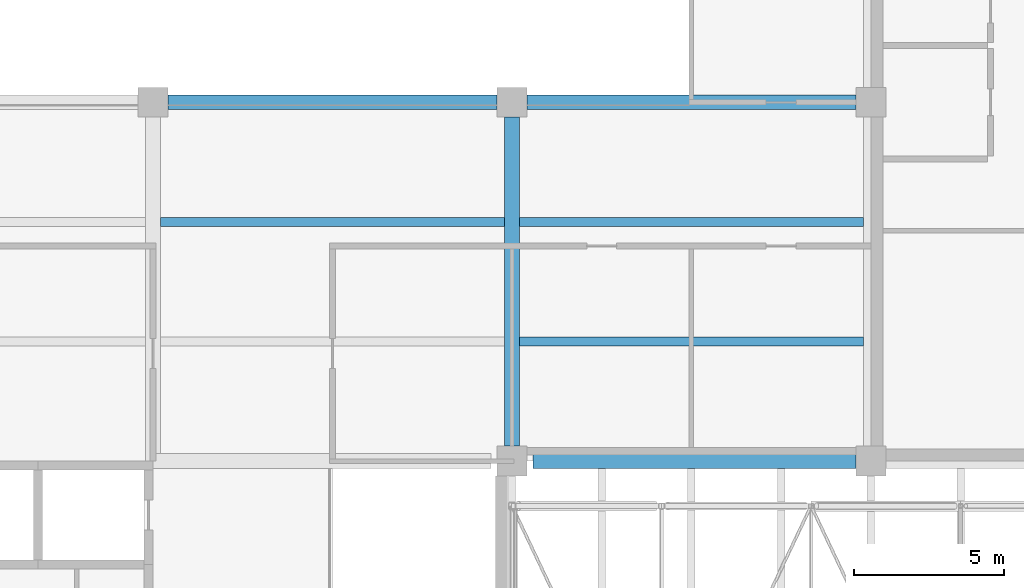
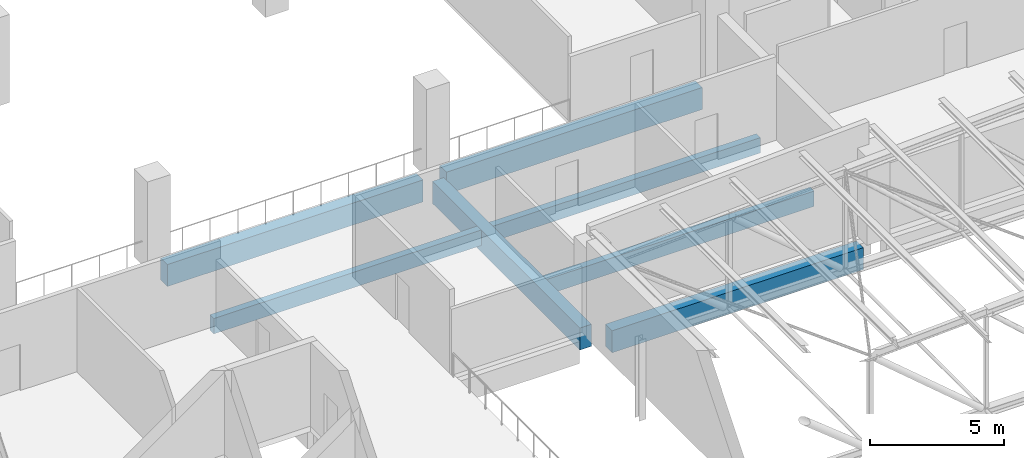
# One storey, part 129 of 156: 7 beams.
"""IFC4 building model written with IfcOpenShell, lengths in metres."""

from ifc_helpers import new_model, si_unit, direction, frame, origin, origin_2d, place, context, subcontext, project, spatial, rectangle, extrude, material, material_profile, profile_set, type_object, element, save


model = new_model("IFC4")

# Units and contexts
model_context = context("Model", 3, precision=1e-05, world=origin(), true_north=direction((0.0, 1.0)))
body_context = subcontext(model_context, "Body", "Model", "MODEL_VIEW")
ifc_project = project(units=[si_unit("LENGTHUNIT", "METRE"), si_unit("AREAUNIT", "SQUARE_METRE"), si_unit("VOLUMEUNIT", "CUBIC_METRE"), si_unit("PLANEANGLEUNIT", "RADIAN"), si_unit("MASSUNIT", "GRAM", prefix="KILO")], contexts=[model_context])

# Site, building, storey
site_placement = place(None, origin())
site = spatial("IfcSite", under=ifc_project, at=site_placement, CompositionType="ELEMENT")
building_placement = place(site_placement, origin())
building = spatial("IfcBuilding", under=site, at=building_placement, Name="Lilac Gate Convention Centre", CompositionType="ELEMENT")
storey_placement = place(building_placement, frame((0.0, 0.0, 17.0)))
storey = spatial("IfcBuildingStorey", under=building, at=storey_placement, Name="L03", CompositionType="ELEMENT", Elevation=17.0)

# Beams
ifc_material = material(Name="Concrete C40", Category="concrete")
ifc_material_profile_1 = material_profile(ifc_material, rectangle(XDim=0.5, YDim=1.0, at=origin_2d()), Name="RC 500x1000")
ifc_profile_set_1 = profile_set([ifc_material_profile_1], Name="Concrete C40")
beam_type_1 = type_object("IfcBeamType", Name="Primary beam 500x1000 C40", PredefinedType="BEAM", material=ifc_profile_set_1)
beam_placement = place(storey_placement, frame((30.699951171875, 222.0, -0.75), z_axis=(1.0, 0.0, 0.0), x_axis=(0.0, 1.0, 0.0)))
element("IfcBeam", 1, at=beam_placement, inside=storey, type_object=beam_type_1, Name="RB1 L03 3/S-4/S", PredefinedType="BEAM", context=body_context, shape_type="SweptSolid", body=[
    extrude(rectangle(XDim=0.5, YDim=1.0, at=origin_2d()), origin(), (0.0, 0.0, 1.0), 10.800048828125),
])
for number, where, z_axis, x_axis, name in (
    (2, (18.5, 234.0, -0.75), (1.0, 0.0, 0.0), (0.0, 1.0, 0.0), "RB1 L03 2/T-3/T"),
    (3, (30.5, 234.0, -0.75), (1.0, 0.0, 0.0), (0.0, 1.0, 0.0), "RB1 L03 3/T-4/T"),
    (4, (30.0, 222.5, -0.75), (0.0, 1.0, 0.0), (-1.0, 0.0, 0.0), "RB1 L03 3/S-3/T"),
):
    element("IfcBeam", number, at=place(storey_placement, frame(where, z_axis=z_axis, x_axis=x_axis)), inside=storey, type_object=beam_type_1, Name=name, PredefinedType="BEAM", context=body_context, shape_type="SweptSolid", body=[
        extrude(rectangle(XDim=0.5, YDim=1.0, at=origin_2d()), origin(), (0.0, 0.0, 1.0), 11.0),
    ])
ifc_material_profile_2 = material_profile(ifc_material, rectangle(XDim=0.300048828125, YDim=0.699951171875, at=origin_2d()), Name="RC 300x700")
ifc_profile_set_2 = profile_set([ifc_material_profile_2], Name="Concrete C40")
beam_type_2 = type_object("IfcBeamType", Name="Secondary beam 300x700 C40", PredefinedType="BEAM", material=ifc_profile_set_2)
for number, where, z_axis, x_axis, name in (
    (5, (18.25, 230.0, -0.60009765625), (1.0, 0.0, 0.0), (0.0, 1.0, 0.0), "RB2 L03 bay 2/S"),
    (6, (30.25, 226.0, -0.60009765625), (1.0, 0.0, 0.0), (0.0, 1.0, 0.0), "RB2 L03 bay 3/S"),
    (7, (30.25, 230.0, -0.60009765625), (1.0, 0.0, 0.0), (0.0, 1.0, 0.0), "RB2 L03 bay 3/S"),
):
    element("IfcBeam", number, at=place(storey_placement, frame(where, z_axis=z_axis, x_axis=x_axis)), inside=storey, type_object=beam_type_2, Name=name, PredefinedType="BEAM", context=body_context, shape_type="SweptSolid", body=[
        extrude(rectangle(XDim=0.300048828125, YDim=0.699951171875, at=origin_2d()), origin(), (0.0, 0.0, 1.0), 11.5),
    ])

save(model, "model.ifc")
